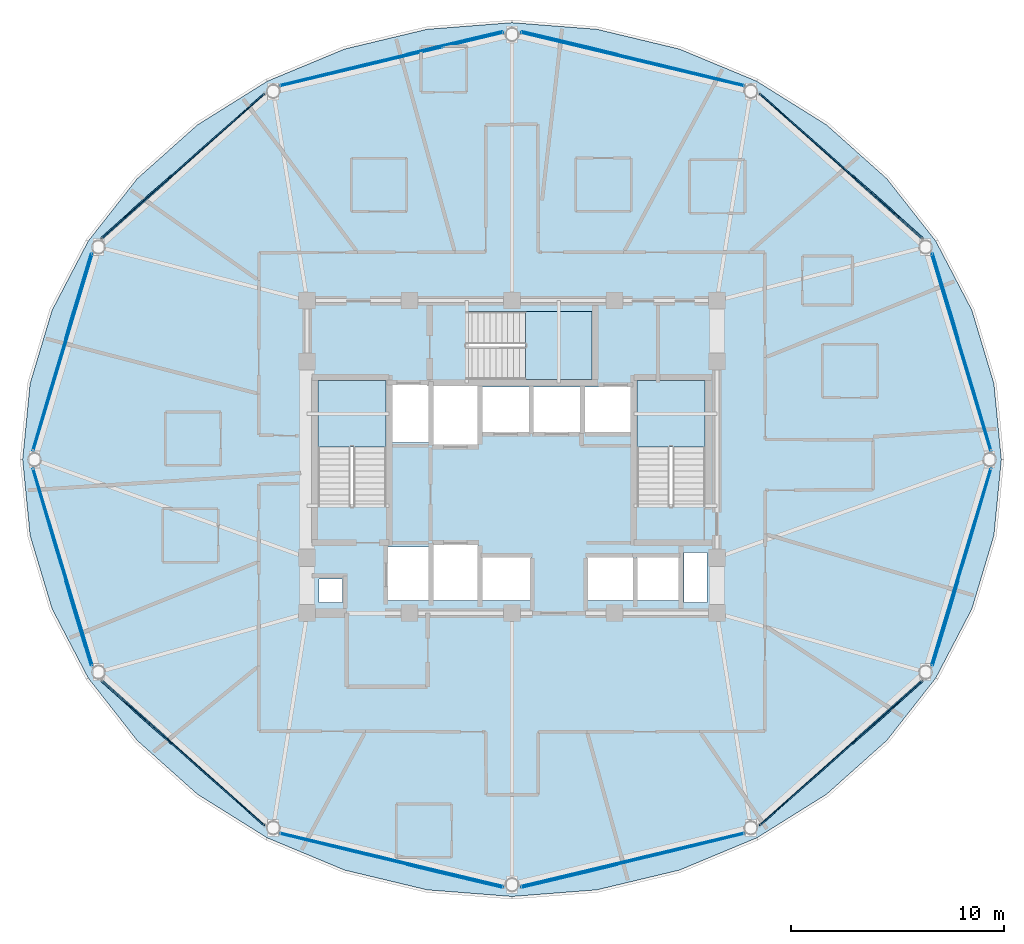
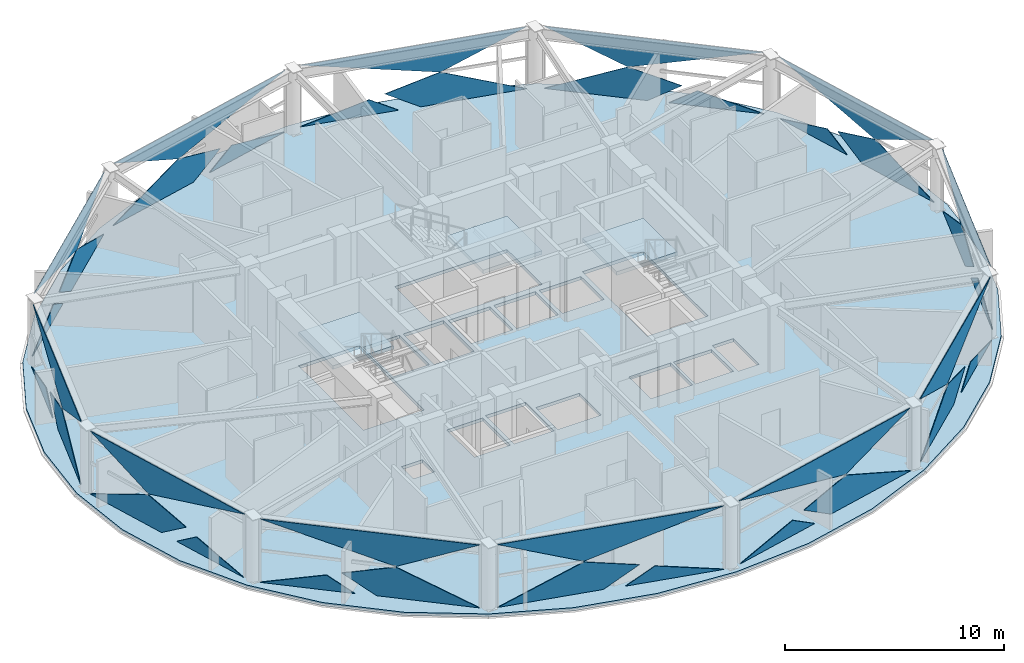
# One storey, part 21 of 30: 36 plates, 4 slabs, 15 elements without a shape of their own.
"""IFC4 building model written with IfcOpenShell, lengths in metres."""

from ifc_helpers import new_model, si_unit, direction, frame, origin, place, context, subcontext, project, spatial, polyline, outline, extrude, material, layer, layer_set, type_object, element, aggregate, save


model = new_model("IFC4")

# Units and contexts
model_context = context("Model", 3, precision=1e-05, world=origin(), true_north=direction((0.0, 1.0)))
body_context = subcontext(model_context, "Body", "Model", "MODEL_VIEW")
ifc_project = project(units=[si_unit("LENGTHUNIT", "METRE"), si_unit("AREAUNIT", "SQUARE_METRE"), si_unit("VOLUMEUNIT", "CUBIC_METRE"), si_unit("PLANEANGLEUNIT", "RADIAN"), si_unit("MASSUNIT", "GRAM", prefix="KILO")], contexts=[model_context])

# Site, building, storey
site_placement = place(None, origin())
site = spatial("IfcSite", under=ifc_project, at=site_placement, CompositionType="ELEMENT")
building_placement = place(site_placement, origin())
building = spatial("IfcBuilding", under=site, at=building_placement, Name="Vantalir Tower", CompositionType="ELEMENT")
storey_placement = place(building_placement, frame((0.0, 0.0, 201.14990234375)))
storey = spatial("IfcBuildingStorey", under=building, at=storey_placement, Name="L50", CompositionType="ELEMENT", Elevation=201.14990234375)

# Curtain wall, plates
ifc_material_1 = material(Name="Champagne-silver PVDF aluminium and double-silver Low-E glass", Category="aluminium")
ifc_layer_1 = layer(ifc_material_1, 0.2099609375)
ifc_layer_set_1 = layer_set([ifc_layer_1], Name="Champagne-silver PVDF aluminium and double-silver Low-E glass")
curtain_wall_type = type_object("IfcCurtainWallType", Name="CW-DIAMOND-Z3", PredefinedType="USERDEFINED", material=ifc_layer_set_1)
curtain_wall_1_placement = place(storey_placement, origin())
curtain_wall_1 = element("IfcCurtainWall", 1, at=curtain_wall_1_placement, inside=storey, type_object=curtain_wall_type, Name="L50 Quilted Pyramid-Diamond Curtain Wall S01", ObjectType="UNITISED CURTAIN WALL", PredefinedType="USERDEFINED")
ifc_material_2 = material(Name="Double-silver Low-E acoustic glass IGU", Category="glass")
ifc_layer_2 = layer(ifc_material_2, 0.031982421875)
ifc_layer_set_2 = layer_set([ifc_layer_2], Name="Double-silver Low-E acoustic glass IGU")
plate_type = type_object("IfcPlateType", Name="CWP-IGU-32", PredefinedType="CURTAIN_PANEL", material=ifc_layer_set_2)
plate_1_placement = place(storey_placement, frame((53.94970703125, 25.406982421875, 0.047119140625), z_axis=(-0.957564423457, -0.287894998522, 0.013669116829), x_axis=(-0.287922611578, 0.957653677886, -5.4530005e-05)))
plate_1 = element("IfcPlate", 2, at=plate_1_placement, type_object=plate_type, Name="CW-L50-S01 Pyramid Diamond Facet 1L", PredefinedType="CURTAIN_PANEL", context=body_context, shape_type="SweptSolid", body=[
    extrude(outline(polyline([(0.0, 0.0), (4.493015232506028, 2.710505431213761e-19), (6.036369226294216, -1.0433953958300741), (3.6700320835922584, -1.725946452969246), (0.0, 0.0)])), origin(), (0.0, 0.0, -1.0), 0.031982421875),
])
plate_2_placement = place(storey_placement, frame((52.407958984375, 30.65966796875, 0.04638671875), z_axis=(-0.957565121406, -0.287893799819, 0.013645449486), x_axis=(-0.287921369293, 0.957654051154, -5.8425603e-05)))
plate_2 = element("IfcPlate", 3, at=plate_2_placement, type_object=plate_type, Name="CW-L50-S01 Pyramid Diamond Facet 1L Infill Light", PredefinedType="CURTAIN_PANEL", context=body_context, shape_type="SweptSolid", body=[
    extrude(outline(polyline([(0.0, 0.0), (4.178658232119162, 3.63207727782644e-18), (1.2500054818498887, -0.8448782573715141), (0.0, 0.0)])), origin(), (0.0, 0.0, -1.0), 0.031982421875),
])
plate_3_placement = place(storey_placement, frame((51.17041015625, 34.651123046875, 3.5234375), z_axis=(0.957564554379, 0.28789618773, 0.013634855612), x_axis=(0.287923282936, -0.957653477258, -2.5291926e-05)))
plate_3 = element("IfcPlate", 4, at=plate_3_placement, type_object=plate_type, Name="CW-L50-S01 Pyramid Diamond Facet 2U", PredefinedType="CURTAIN_PANEL", context=body_context, shape_type="SweptSolid", body=[
    extrude(outline(polyline([(0.0, 0.0), (9.652907700468539, 2.168404344971009e-19), (5.982825176262012, 1.7258391937310797), (0.0, 0.0)])), origin(), (0.0, 0.0, -1.0), 0.031982421875),
])
aggregate(curtain_wall_1, [plate_1, plate_2, plate_3])

curtain_wall_2_placement = place(storey_placement, origin())
curtain_wall_2 = element("IfcCurtainWall", 5, at=curtain_wall_2_placement, inside=storey, type_object=curtain_wall_type, Name="L50 Quilted Pyramid-Diamond Curtain Wall S02", ObjectType="UNITISED CURTAIN WALL", PredefinedType="USERDEFINED")
plate_4_placement = place(storey_placement, frame((46.678466796875, 38.951416015625, 0.046875), z_axis=(-0.66523185252, -0.746509374345, 0.013796246113), x_axis=(-0.746580426559, 0.665295172596, 2.0544e-07)))
plate_4 = element("IfcPlate", 6, at=plate_4_placement, type_object=plate_type, Name="CW-L50-S02 Pyramid Diamond Facet 1L", PredefinedType="CURTAIN_PANEL", context=body_context, shape_type="SweptSolid", body=[
    extrude(outline(polyline([(0.0, 0.0), (4.788824650610813, -6.938893903907228e-18), (0.9002307727111415, -1.7262383246250173), (-1.6146864452240484, -1.0401393709406346), (0.0, 0.0)])), origin(), (0.0, 0.0, -1.0), 0.031982421875),
])
plate_5_placement = place(storey_placement, frame((50.754638671875, 35.36767578125, 0.046142578125), z_axis=(-0.665198990712, -0.746537898844, 0.013837208728), x_axis=(-0.746608867705, 0.665263252857, 5.5337153e-05)))
plate_5 = element("IfcPlate", 7, at=plate_5_placement, type_object=plate_type, Name="CW-L50-S02 Pyramid Diamond Facet 1L Infill Light", PredefinedType="CURTAIN_PANEL", context=body_context, shape_type="SweptSolid", body=[
    extrude(outline(polyline([(0.0, 0.0), (4.41187542096228, 2.9815559743351372e-18), (3.099305821382689, -0.8453684134291314), (0.0, 0.0)])), origin(), (0.0, 0.0, -1.0), 0.031982421875),
])
plate_6_placement = place(storey_placement, frame((43.103271484375, 42.137451171875, 3.523193359375), z_axis=(0.665212907167, 0.746528084438, 0.013696980825), x_axis=(0.746597903354, -0.665275559551, 2.3897251e-05)))
plate_6 = element("IfcPlate", 8, at=plate_6_placement, type_object=plate_type, Name="CW-L50-S02 Pyramid Diamond Facet 2U", PredefinedType="CURTAIN_PANEL", context=body_context, shape_type="SweptSolid", body=[
    extrude(outline(polyline([(0.0, 0.0), (10.216264165730552, 1.713039432527097e-17), (3.8885536112192765, 1.7260849250049073), (0.0, 0.0)])), origin(), (0.0, 0.0, -1.0), 0.031982421875),
])
aggregate(curtain_wall_2, [plate_4, plate_5, plate_6])

curtain_wall_3_placement = place(storey_placement, origin())
curtain_wall_3 = element("IfcCurtainWall", 9, at=curtain_wall_3_placement, inside=storey, type_object=curtain_wall_type, Name="L50 Quilted Pyramid-Diamond Curtain Wall S03", ObjectType="UNITISED CURTAIN WALL", PredefinedType="USERDEFINED")
plate_7_placement = place(storey_placement, frame((42.372802734375, 42.518798828125, 0.046875), z_axis=(-0.232206392492, -0.972568747145, 0.01379214857), x_axis=(-0.972661417701, 0.232227828108, -4.8657021e-05)))
plate_7 = element("IfcPlate", 10, at=plate_7_placement, type_object=plate_type, Name="CW-L50-S03 Pyramid Diamond Facet 1L", PredefinedType="CURTAIN_PANEL", context=body_context, shape_type="SweptSolid", body=[
    extrude(outline(polyline([(0.0, 0.0), (5.025318191116046, -6.2341624917916505e-19), (6.728999581153205, -1.042662916575929), (4.088655980256512, -1.726681162209599), (0.0, 0.0)])), origin(), (0.0, 0.0, -1.0), 0.031982421875),
])
plate_8_placement = place(storey_placement, frame((36.46826171875, 43.965576171875, 0.046142578125), z_axis=(-0.232238984824, -0.972562764647, 0.013664653283), x_axis=(-0.972653577162, 0.232260670012, 0.0)))
plate_8 = element("IfcPlate", 11, at=plate_8_placement, type_object=plate_type, Name="CW-L50-S03 Pyramid Diamond Facet 1L Infill Light", PredefinedType="CURTAIN_PANEL", context=body_context, shape_type="SweptSolid", body=[
    extrude(outline(polyline([(0.0, 0.0), (4.674460636481179, 0.0), (1.3903305253409852, -0.8509095239166355), (0.0, 0.0)])), origin(), (0.0, 0.0, -1.0), 0.031982421875),
])
plate_9_placement = place(storey_placement, frame((31.913330078125, 45.016357421875, 3.523681640625), z_axis=(0.232233275581, 0.972563468319, 0.013711520848), x_axis=(0.972654977057, -0.232254806388, -2.2703305e-05)))
plate_9 = element("IfcPlate", 12, at=plate_9_placement, type_object=plate_type, Name="CW-L50-S03 Pyramid Diamond Facet 2U", PredefinedType="CURTAIN_PANEL", context=body_context, shape_type="SweptSolid", body=[
    extrude(outline(polyline([(0.0, 0.0), (10.753528129672631, 7.508100044462118e-18), (6.664826683048361, 1.7265734974029299), (0.0, 0.0)])), origin(), (0.0, 0.0, -1.0), 0.031982421875),
])
aggregate(curtain_wall_3, [plate_7, plate_8, plate_9])

curtain_wall_4_placement = place(storey_placement, origin())
curtain_wall_4 = element("IfcCurtainWall", 13, at=curtain_wall_4_placement, inside=storey, type_object=curtain_wall_type, Name="L50 Quilted Pyramid-Diamond Curtain Wall S04", ObjectType="UNITISED CURTAIN WALL", PredefinedType="USERDEFINED")
plate_10_placement = place(storey_placement, frame((25.51513671875, 43.685791015625, 0.046630859375), z_axis=(0.232206392492, -0.972568747145, 0.01379214857), x_axis=(-0.972661417701, -0.232227828108, 4.8657021e-05)))
plate_10 = element("IfcPlate", 14, at=plate_10_placement, type_object=plate_type, Name="CW-L50-S04 Pyramid Diamond Facet 1L", PredefinedType="CURTAIN_PANEL", context=body_context, shape_type="SweptSolid", body=[
    extrude(outline(polyline([(0.0, 0.0), (5.025318191116046, 6.2341624917916505e-19), (0.9366622108595342, -1.726681162209599), (-1.703681390037159, -1.042662916575929), (0.0, 0.0)])), origin(), (0.0, 0.0, -1.0), 0.031982421875),
])
plate_11_placement = place(storey_placement, frame((31.078369140625, 45.05126953125, 0.046142578125), z_axis=(0.232238984824, -0.972562764647, 0.013664653283), x_axis=(-0.972653577162, -0.232260670012, 0.0)))
plate_11 = element("IfcPlate", 15, at=plate_11_placement, type_object=plate_type, Name="CW-L50-S04 Pyramid Diamond Facet 1L Infill Light", PredefinedType="CURTAIN_PANEL", context=body_context, shape_type="SweptSolid", body=[
    extrude(outline(polyline([(0.0, 0.0), (4.674460636481179, 0.0), (3.2841301111401937, -0.8509095239166355), (0.0, 0.0)])), origin(), (0.0, 0.0, -1.0), 0.031982421875),
])
plate_12_placement = place(storey_placement, frame((20.627197265625, 42.518798828125, 3.5234375), z_axis=(-0.232233275581, 0.972563468319, 0.013711520848), x_axis=(0.972654977057, 0.232254806388, 2.2703305e-05)))
plate_12 = element("IfcPlate", 16, at=plate_12_placement, type_object=plate_type, Name="CW-L50-S04 Pyramid Diamond Facet 2U", PredefinedType="CURTAIN_PANEL", context=body_context, shape_type="SweptSolid", body=[
    extrude(outline(polyline([(0.0, 0.0), (10.753528129672631, -7.508100044462118e-18), (4.088701446624271, 1.7265734974029299), (0.0, 0.0)])), origin(), (0.0, 0.0, -1.0), 0.031982421875),
])
aggregate(curtain_wall_4, [plate_10, plate_11, plate_12])

curtain_wall_5_placement = place(storey_placement, origin())
curtain_wall_5 = element("IfcCurtainWall", 17, at=curtain_wall_5_placement, inside=storey, type_object=curtain_wall_type, Name="L50 Quilted Pyramid-Diamond Curtain Wall S05", ObjectType="UNITISED CURTAIN WALL", PredefinedType="USERDEFINED")
plate_13_placement = place(storey_placement, frame((19.896728515625, 42.137451171875, 0.046875), z_axis=(0.66523185252, -0.746509374345, 0.013796246113), x_axis=(-0.746580426559, -0.665295172596, -2.0544e-07)))
plate_13 = element("IfcPlate", 18, at=plate_13_placement, type_object=plate_type, Name="CW-L50-S05 Pyramid Diamond Facet 1L", PredefinedType="CURTAIN_PANEL", context=body_context, shape_type="SweptSolid", body=[
    extrude(outline(polyline([(0.0, 0.0), (4.788824650610813, 6.938893903907228e-18), (6.403511095834861, -1.0401393709406346), (3.888593877899672, -1.726238324625017), (0.0, 0.0)])), origin(), (0.0, 0.0, -1.0), 0.031982421875),
])
plate_14_placement = place(storey_placement, frame((15.539306640625, 38.302734375, 0.04638671875), z_axis=(0.665198990712, -0.746537898844, 0.013837208728), x_axis=(-0.746608867705, -0.665263252857, -5.5337153e-05)))
plate_14 = element("IfcPlate", 19, at=plate_14_placement, type_object=plate_type, Name="CW-L50-S05 Pyramid Diamond Facet 1L Infill Light", PredefinedType="CURTAIN_PANEL", context=body_context, shape_type="SweptSolid", body=[
    extrude(outline(polyline([(0.0, 0.0), (4.41187542096228, -2.9815559743351372e-18), (1.3125695995795912, -0.8453684134291314), (0.0, 0.0)])), origin(), (0.0, 0.0, -1.0), 0.031982421875),
])
plate_15_placement = place(storey_placement, frame((12.269287109375, 35.3408203125, 3.5234375), z_axis=(-0.665212907167, 0.746528084438, 0.013696980825), x_axis=(0.746597903354, 0.665275559551, -2.3897251e-05)))
plate_15 = element("IfcPlate", 20, at=plate_15_placement, type_object=plate_type, Name="CW-L50-S05 Pyramid Diamond Facet 2U", PredefinedType="CURTAIN_PANEL", context=body_context, shape_type="SweptSolid", body=[
    extrude(outline(polyline([(0.0, 0.0), (10.216264165730552, -1.713039432527097e-17), (6.327710554511276, 1.7260849250049073), (0.0, 0.0)])), origin(), (0.0, 0.0, -1.0), 0.031982421875),
])
aggregate(curtain_wall_5, [plate_13, plate_14, plate_15])

curtain_wall_6_placement = place(storey_placement, origin())
curtain_wall_6 = element("IfcCurtainWall", 21, at=curtain_wall_6_placement, inside=storey, type_object=curtain_wall_type, Name="L50 Quilted Pyramid-Diamond Curtain Wall S06", ObjectType="UNITISED CURTAIN WALL", PredefinedType="USERDEFINED")
plate_16_placement = place(storey_placement, frame((10.343994140625, 29.709716796875, 0.046875), z_axis=(0.957564423457, -0.287894998522, 0.013669116829), x_axis=(-0.287922611578, -0.957653677886, 5.4530005e-05)))
plate_16 = element("IfcPlate", 22, at=plate_16_placement, type_object=plate_type, Name="CW-L50-S06 Pyramid Diamond Facet 1L", PredefinedType="CURTAIN_PANEL", context=body_context, shape_type="SweptSolid", body=[
    extrude(outline(polyline([(0.0, 0.0), (4.493015232506028, -2.710505431213761e-19), (0.8229831489137697, -1.725946452969246), (-1.5433539937881875, -1.043395395830074), (0.0, 0.0)])), origin(), (0.0, 0.0, -1.0), 0.031982421875),
])
plate_17_placement = place(storey_placement, frame((11.795166015625, 34.661376953125, 0.046142578125), z_axis=(0.957565121406, -0.287893799819, 0.013645449486), x_axis=(-0.287921369293, -0.957654051154, 5.8425603e-05)))
plate_17 = element("IfcPlate", 23, at=plate_17_placement, type_object=plate_type, Name="CW-L50-S06 Pyramid Diamond Facet 1L Infill Light", PredefinedType="CURTAIN_PANEL", context=body_context, shape_type="SweptSolid", body=[
    extrude(outline(polyline([(0.0, 0.0), (4.178658232119162, -3.63207727782644e-18), (2.928652750269273, -0.8448782573715141), (0.0, 0.0)])), origin(), (0.0, 0.0, -1.0), 0.031982421875),
])
plate_18_placement = place(storey_placement, frame((9.05029296875, 25.406982421875, 3.523193359375), z_axis=(-0.957564554379, 0.28789618773, 0.013634855612), x_axis=(0.287923282936, 0.957653477258, 2.5291926e-05)))
plate_18 = element("IfcPlate", 24, at=plate_18_placement, type_object=plate_type, Name="CW-L50-S06 Pyramid Diamond Facet 2U", PredefinedType="CURTAIN_PANEL", context=body_context, shape_type="SweptSolid", body=[
    extrude(outline(polyline([(0.0, 0.0), (9.652907700468539, -2.168404344971009e-19), (3.670082524206527, 1.7258391937310797), (0.0, 0.0)])), origin(), (0.0, 0.0, -1.0), 0.031982421875),
])
aggregate(curtain_wall_6, [plate_16, plate_17, plate_18])

curtain_wall_7_placement = place(storey_placement, origin())
curtain_wall_7 = element("IfcCurtainWall", 25, at=curtain_wall_7_placement, inside=storey, type_object=curtain_wall_type, Name="L50 Quilted Pyramid-Diamond Curtain Wall S07", ObjectType="UNITISED CURTAIN WALL", PredefinedType="USERDEFINED")
plate_19_placement = place(storey_placement, frame((9.05029296875, 24.593017578125, 0.047119140625), z_axis=(0.957564423457, 0.287894998522, 0.013669116829), x_axis=(0.287922611578, -0.957653677886, -5.4530005e-05)))
plate_19 = element("IfcPlate", 26, at=plate_19_placement, type_object=plate_type, Name="CW-L50-S07 Pyramid Diamond Facet 1L", PredefinedType="CURTAIN_PANEL", context=body_context, shape_type="SweptSolid", body=[
    extrude(outline(polyline([(0.0, 0.0), (4.493015232506028, 2.710505431213761e-19), (6.036369226294216, -1.0433953958300741), (3.6700320835922584, -1.725946452969246), (0.0, 0.0)])), origin(), (0.0, 0.0, -1.0), 0.031982421875),
])
plate_20_placement = place(storey_placement, frame((10.592041015625, 19.34033203125, 0.04638671875), z_axis=(0.957565121406, 0.287893799819, 0.013645449486), x_axis=(0.287921369293, -0.957654051154, -5.8425603e-05)))
plate_20 = element("IfcPlate", 27, at=plate_20_placement, type_object=plate_type, Name="CW-L50-S07 Pyramid Diamond Facet 1L Infill Light", PredefinedType="CURTAIN_PANEL", context=body_context, shape_type="SweptSolid", body=[
    extrude(outline(polyline([(0.0, 0.0), (4.178658232119162, 3.63207727782644e-18), (1.2500054818498887, -0.8448782573715141), (0.0, 0.0)])), origin(), (0.0, 0.0, -1.0), 0.031982421875),
])
plate_21_placement = place(storey_placement, frame((11.82958984375, 15.348876953125, 3.5234375), z_axis=(-0.957564554379, -0.28789618773, 0.013634855612), x_axis=(-0.287923282936, 0.957653477258, -2.5291926e-05)))
plate_21 = element("IfcPlate", 28, at=plate_21_placement, type_object=plate_type, Name="CW-L50-S07 Pyramid Diamond Facet 2U", PredefinedType="CURTAIN_PANEL", context=body_context, shape_type="SweptSolid", body=[
    extrude(outline(polyline([(0.0, 0.0), (9.652907700468539, 2.168404344971009e-19), (5.982825176262012, 1.7258391937310797), (0.0, 0.0)])), origin(), (0.0, 0.0, -1.0), 0.031982421875),
])
aggregate(curtain_wall_7, [plate_19, plate_20, plate_21])

curtain_wall_8_placement = place(storey_placement, origin())
curtain_wall_8 = element("IfcCurtainWall", 29, at=curtain_wall_8_placement, inside=storey, type_object=curtain_wall_type, Name="L50 Quilted Pyramid-Diamond Curtain Wall S08", ObjectType="UNITISED CURTAIN WALL", PredefinedType="USERDEFINED")
plate_22_placement = place(storey_placement, frame((16.321533203125, 11.048583984375, 0.046875), z_axis=(0.66523185252, 0.746509374345, 0.013796246113), x_axis=(0.746580426559, -0.665295172596, 2.0544e-07)))
plate_22 = element("IfcPlate", 30, at=plate_22_placement, type_object=plate_type, Name="CW-L50-S08 Pyramid Diamond Facet 1L", PredefinedType="CURTAIN_PANEL", context=body_context, shape_type="SweptSolid", body=[
    extrude(outline(polyline([(0.0, 0.0), (4.788824650610813, -6.938893903907228e-18), (0.9002307727111415, -1.7262383246250173), (-1.6146864452240484, -1.0401393709406346), (0.0, 0.0)])), origin(), (0.0, 0.0, -1.0), 0.031982421875),
])
plate_23_placement = place(storey_placement, frame((12.245361328125, 14.63232421875, 0.046142578125), z_axis=(0.665198990712, 0.746537898844, 0.013837208728), x_axis=(0.746608867705, -0.665263252857, 5.5337153e-05)))
plate_23 = element("IfcPlate", 31, at=plate_23_placement, type_object=plate_type, Name="CW-L50-S08 Pyramid Diamond Facet 1L Infill Light", PredefinedType="CURTAIN_PANEL", context=body_context, shape_type="SweptSolid", body=[
    extrude(outline(polyline([(0.0, 0.0), (4.41187542096228, 2.9815559743351372e-18), (3.099305821382689, -0.8453684134291314), (0.0, 0.0)])), origin(), (0.0, 0.0, -1.0), 0.031982421875),
])
plate_24_placement = place(storey_placement, frame((19.896728515625, 7.862548828125, 3.523193359375), z_axis=(-0.665212907167, -0.746528084438, 0.013696980825), x_axis=(-0.746597903354, 0.665275559551, 2.3897251e-05)))
plate_24 = element("IfcPlate", 32, at=plate_24_placement, type_object=plate_type, Name="CW-L50-S08 Pyramid Diamond Facet 2U", PredefinedType="CURTAIN_PANEL", context=body_context, shape_type="SweptSolid", body=[
    extrude(outline(polyline([(0.0, 0.0), (10.216264165730552, 1.713039432527097e-17), (3.8885536112192765, 1.7260849250049073), (0.0, 0.0)])), origin(), (0.0, 0.0, -1.0), 0.031982421875),
])
aggregate(curtain_wall_8, [plate_22, plate_23, plate_24])

curtain_wall_9_placement = place(storey_placement, origin())
curtain_wall_9 = element("IfcCurtainWall", 33, at=curtain_wall_9_placement, inside=storey, type_object=curtain_wall_type, Name="L50 Quilted Pyramid-Diamond Curtain Wall S09", ObjectType="UNITISED CURTAIN WALL", PredefinedType="USERDEFINED")
plate_25_placement = place(storey_placement, frame((20.627197265625, 7.481201171875, 0.046875), z_axis=(0.232206392492, 0.972568747145, 0.01379214857), x_axis=(0.972661417701, -0.232227828108, -4.8657021e-05)))
plate_25 = element("IfcPlate", 34, at=plate_25_placement, type_object=plate_type, Name="CW-L50-S09 Pyramid Diamond Facet 1L", PredefinedType="CURTAIN_PANEL", context=body_context, shape_type="SweptSolid", body=[
    extrude(outline(polyline([(0.0, 0.0), (5.025318191116046, -6.2341624917916505e-19), (6.728999581153205, -1.042662916575929), (4.088655980256512, -1.726681162209599), (0.0, 0.0)])), origin(), (0.0, 0.0, -1.0), 0.031982421875),
])
plate_26_placement = place(storey_placement, frame((26.53173828125, 6.034423828125, 0.046142578125), z_axis=(0.232238984824, 0.972562764647, 0.013664653283), x_axis=(0.972653577162, -0.232260670012, 0.0)))
plate_26 = element("IfcPlate", 35, at=plate_26_placement, type_object=plate_type, Name="CW-L50-S09 Pyramid Diamond Facet 1L Infill Light", PredefinedType="CURTAIN_PANEL", context=body_context, shape_type="SweptSolid", body=[
    extrude(outline(polyline([(0.0, 0.0), (4.674460636481179, 0.0), (1.3903305253409852, -0.8509095239166355), (0.0, 0.0)])), origin(), (0.0, 0.0, -1.0), 0.031982421875),
])
plate_27_placement = place(storey_placement, frame((31.086669921875, 4.983642578125, 3.523681640625), z_axis=(-0.232233275581, -0.972563468319, 0.013711520848), x_axis=(-0.972654977057, 0.232254806388, -2.2703305e-05)))
plate_27 = element("IfcPlate", 36, at=plate_27_placement, type_object=plate_type, Name="CW-L50-S09 Pyramid Diamond Facet 2U", PredefinedType="CURTAIN_PANEL", context=body_context, shape_type="SweptSolid", body=[
    extrude(outline(polyline([(0.0, 0.0), (10.753528129672631, 7.508100044462118e-18), (6.664826683048361, 1.7265734974029299), (0.0, 0.0)])), origin(), (0.0, 0.0, -1.0), 0.031982421875),
])
aggregate(curtain_wall_9, [plate_25, plate_26, plate_27])

curtain_wall_10_placement = place(storey_placement, origin())
curtain_wall_10 = element("IfcCurtainWall", 37, at=curtain_wall_10_placement, inside=storey, type_object=curtain_wall_type, Name="L50 Quilted Pyramid-Diamond Curtain Wall S10", ObjectType="UNITISED CURTAIN WALL", PredefinedType="USERDEFINED")
plate_28_placement = place(storey_placement, frame((37.48486328125, 6.314208984375, 0.046630859375), z_axis=(-0.232206392492, 0.972568747145, 0.01379214857), x_axis=(0.972661417701, 0.232227828108, 4.8657021e-05)))
plate_28 = element("IfcPlate", 38, at=plate_28_placement, type_object=plate_type, Name="CW-L50-S10 Pyramid Diamond Facet 1L", PredefinedType="CURTAIN_PANEL", context=body_context, shape_type="SweptSolid", body=[
    extrude(outline(polyline([(0.0, 0.0), (5.025318191116046, 6.2341624917916505e-19), (0.9366622108595342, -1.726681162209599), (-1.703681390037159, -1.042662916575929), (0.0, 0.0)])), origin(), (0.0, 0.0, -1.0), 0.031982421875),
])
plate_29_placement = place(storey_placement, frame((31.921630859375, 4.94873046875, 0.046142578125), z_axis=(-0.232238984824, 0.972562764647, 0.013664653283), x_axis=(0.972653577162, 0.232260670012, 0.0)))
plate_29 = element("IfcPlate", 39, at=plate_29_placement, type_object=plate_type, Name="CW-L50-S10 Pyramid Diamond Facet 1L Infill Light", PredefinedType="CURTAIN_PANEL", context=body_context, shape_type="SweptSolid", body=[
    extrude(outline(polyline([(0.0, 0.0), (4.674460636481179, 0.0), (3.2841301111401937, -0.8509095239166355), (0.0, 0.0)])), origin(), (0.0, 0.0, -1.0), 0.031982421875),
])
plate_30_placement = place(storey_placement, frame((42.372802734375, 7.481201171875, 3.5234375), z_axis=(0.232233275581, -0.972563468319, 0.013711520848), x_axis=(-0.972654977057, -0.232254806388, 2.2703305e-05)))
plate_30 = element("IfcPlate", 40, at=plate_30_placement, type_object=plate_type, Name="CW-L50-S10 Pyramid Diamond Facet 2U", PredefinedType="CURTAIN_PANEL", context=body_context, shape_type="SweptSolid", body=[
    extrude(outline(polyline([(0.0, 0.0), (10.753528129672631, -7.508100044462118e-18), (4.088701446624271, 1.7265734974029299), (0.0, 0.0)])), origin(), (0.0, 0.0, -1.0), 0.031982421875),
])
aggregate(curtain_wall_10, [plate_28, plate_29, plate_30])

curtain_wall_11_placement = place(storey_placement, origin())
curtain_wall_11 = element("IfcCurtainWall", 41, at=curtain_wall_11_placement, inside=storey, type_object=curtain_wall_type, Name="L50 Quilted Pyramid-Diamond Curtain Wall S11", ObjectType="UNITISED CURTAIN WALL", PredefinedType="USERDEFINED")
plate_31_placement = place(storey_placement, frame((43.103271484375, 7.862548828125, 0.046875), z_axis=(-0.66523185252, 0.746509374345, 0.013796246113), x_axis=(0.746580426559, 0.665295172596, -2.0544e-07)))
plate_31 = element("IfcPlate", 42, at=plate_31_placement, type_object=plate_type, Name="CW-L50-S11 Pyramid Diamond Facet 1L", PredefinedType="CURTAIN_PANEL", context=body_context, shape_type="SweptSolid", body=[
    extrude(outline(polyline([(0.0, 0.0), (4.788824650610813, 6.938893903907228e-18), (6.403511095834861, -1.0401393709406346), (3.888593877899672, -1.726238324625017), (0.0, 0.0)])), origin(), (0.0, 0.0, -1.0), 0.031982421875),
])
plate_32_placement = place(storey_placement, frame((47.460693359375, 11.697265625, 0.04638671875), z_axis=(-0.665198990712, 0.746537898844, 0.013837208728), x_axis=(0.746608867705, 0.665263252857, -5.5337153e-05)))
plate_32 = element("IfcPlate", 43, at=plate_32_placement, type_object=plate_type, Name="CW-L50-S11 Pyramid Diamond Facet 1L Infill Light", PredefinedType="CURTAIN_PANEL", context=body_context, shape_type="SweptSolid", body=[
    extrude(outline(polyline([(0.0, 0.0), (4.41187542096228, -2.9815559743351372e-18), (1.3125695995795912, -0.8453684134291314), (0.0, 0.0)])), origin(), (0.0, 0.0, -1.0), 0.031982421875),
])
plate_33_placement = place(storey_placement, frame((50.730712890625, 14.6591796875, 3.5234375), z_axis=(0.665212907167, -0.746528084438, 0.013696980825), x_axis=(-0.746597903354, -0.665275559551, -2.3897251e-05)))
plate_33 = element("IfcPlate", 44, at=plate_33_placement, type_object=plate_type, Name="CW-L50-S11 Pyramid Diamond Facet 2U", PredefinedType="CURTAIN_PANEL", context=body_context, shape_type="SweptSolid", body=[
    extrude(outline(polyline([(0.0, 0.0), (10.216264165730552, -1.713039432527097e-17), (6.327710554511276, 1.7260849250049073), (0.0, 0.0)])), origin(), (0.0, 0.0, -1.0), 0.031982421875),
])
aggregate(curtain_wall_11, [plate_31, plate_32, plate_33])

curtain_wall_12_placement = place(storey_placement, origin())
curtain_wall_12 = element("IfcCurtainWall", 45, at=curtain_wall_12_placement, inside=storey, type_object=curtain_wall_type, Name="L50 Quilted Pyramid-Diamond Curtain Wall S12", ObjectType="UNITISED CURTAIN WALL", PredefinedType="USERDEFINED")
plate_34_placement = place(storey_placement, frame((52.656005859375, 20.290283203125, 0.046875), z_axis=(-0.957564423457, 0.287894998522, 0.013669116829), x_axis=(0.287922611578, 0.957653677886, 5.4530005e-05)))
plate_34 = element("IfcPlate", 46, at=plate_34_placement, type_object=plate_type, Name="CW-L50-S12 Pyramid Diamond Facet 1L", PredefinedType="CURTAIN_PANEL", context=body_context, shape_type="SweptSolid", body=[
    extrude(outline(polyline([(0.0, 0.0), (4.493015232506028, -2.710505431213761e-19), (0.8229831489137697, -1.725946452969246), (-1.5433539937881875, -1.043395395830074), (0.0, 0.0)])), origin(), (0.0, 0.0, -1.0), 0.031982421875),
])
plate_35_placement = place(storey_placement, frame((51.204833984375, 15.338623046875, 0.046142578125), z_axis=(-0.957565121406, 0.287893799819, 0.013645449486), x_axis=(0.287921369293, 0.957654051154, 5.8425603e-05)))
plate_35 = element("IfcPlate", 47, at=plate_35_placement, type_object=plate_type, Name="CW-L50-S12 Pyramid Diamond Facet 1L Infill Light", PredefinedType="CURTAIN_PANEL", context=body_context, shape_type="SweptSolid", body=[
    extrude(outline(polyline([(0.0, 0.0), (4.178658232119162, -3.63207727782644e-18), (2.928652750269273, -0.8448782573715141), (0.0, 0.0)])), origin(), (0.0, 0.0, -1.0), 0.031982421875),
])
plate_36_placement = place(storey_placement, frame((53.94970703125, 24.593017578125, 3.523193359375), z_axis=(0.957564554379, -0.28789618773, 0.013634855612), x_axis=(-0.287923282936, -0.957653477258, 2.5291926e-05)))
plate_36 = element("IfcPlate", 48, at=plate_36_placement, type_object=plate_type, Name="CW-L50-S12 Pyramid Diamond Facet 2U", PredefinedType="CURTAIN_PANEL", context=body_context, shape_type="SweptSolid", body=[
    extrude(outline(polyline([(0.0, 0.0), (9.652907700468539, -2.168404344971009e-19), (3.670082524206527, 1.7258391937310797), (0.0, 0.0)])), origin(), (0.0, 0.0, -1.0), 0.031982421875),
])
aggregate(curtain_wall_12, [plate_34, plate_35, plate_36])

# Stair, slab
ifc_material_3 = material(Name="Concrete C40/50", Category="concrete")
stair_type = type_object("IfcStairType", Name="STR-CORE-1450", PredefinedType="HALF_TURN_STAIR", material=ifc_material_3)
stair_1_placement = place(storey_placement, origin())
stair_1 = element("IfcStair", 49, at=stair_1_placement, inside=storey, type_object=stair_type, Name="L50 Core Exit Stair 1", PredefinedType="HALF_TURN_STAIR")
ifc_layer_3 = layer(ifc_material_3, 0.199951171875)
ifc_layer_set_3 = layer_set([ifc_layer_3], Name="Concrete C40/50")
slab_type_1 = type_object("IfcSlabType", Name="SL-LAND-200", PredefinedType="LANDING", material=ifc_layer_set_3)
slab_1_placement = place(storey_placement, frame((0.0, 0.0, 1.675048828125)))
slab_1 = element("IfcSlab", 50, at=slab_1_placement, type_object=slab_type_1, Name="ST1 landing 1", PredefinedType="LANDING", context=body_context, shape_type="SweptSolid", body=[
    extrude(outline(polyline([(25.60009765625, 25.590087890625), (25.60009765625, 28.699951171875), (22.39990234375, 28.699951171875), (22.39990234375, 25.590087890625), (25.60009765625, 25.590087890625)])), origin(), (0.0, 0.0, 1.0), 0.199951171875),
])
aggregate(stair_1, [slab_1])

stair_2_placement = place(storey_placement, origin())
stair_2 = element("IfcStair", 51, at=stair_2_placement, inside=storey, type_object=stair_type, Name="L50 Core Exit Stair 2", PredefinedType="HALF_TURN_STAIR")
slab_2_placement = place(storey_placement, frame((0.0, 0.0, 1.675048828125)))
slab_2 = element("IfcSlab", 52, at=slab_2_placement, type_object=slab_type_1, Name="ST2 landing 1", PredefinedType="LANDING", context=body_context, shape_type="SweptSolid", body=[
    extrude(outline(polyline([(40.550048828125, 25.590087890625), (40.550048828125, 28.699951171875), (37.35009765625, 28.699951171875), (37.35009765625, 25.590087890625), (40.550048828125, 25.590087890625)])), origin(), (0.0, 0.0, 1.0), 0.199951171875),
])
aggregate(stair_2, [slab_2])

stair_3_placement = place(storey_placement, origin())
stair_3 = element("IfcStair", 53, at=stair_3_placement, inside=storey, type_object=stair_type, Name="L50 Core Exit Stair 3", PredefinedType="HALF_TURN_STAIR")
slab_3_placement = place(storey_placement, frame((0.0, 0.0, 1.675048828125)))
slab_3 = element("IfcSlab", 54, at=slab_3_placement, type_object=slab_type_1, Name="ST3 landing 1", PredefinedType="LANDING", context=body_context, shape_type="SweptSolid", body=[
    extrude(outline(polyline([(32.139892578125, 28.75), (35.25, 28.75), (35.25, 31.949951171875), (32.139892578125, 31.949951171875), (32.139892578125, 28.75)])), origin(), (0.0, 0.0, 1.0), 0.199951171875),
])
aggregate(stair_3, [slab_3])

# Slab
ifc_layer_4 = layer(ifc_material_3, 0.179931640625)
ifc_layer_set_4 = layer_set([ifc_layer_4], Name="Concrete C40/50")
slab_type_2 = type_object("IfcSlabType", Name="SL-TWR-180", PredefinedType="FLOOR", material=ifc_layer_set_4)
slab_4_placement = place(storey_placement, frame((0.0, 0.0, -0.179931640625)))
element("IfcSlab", 55, at=slab_4_placement, inside=storey, type_object=slab_type_2, Name="L50 Primary Structural Slab", PredefinedType="FLOOR", context=body_context, shape_type="SweptSolid", body=[
    extrude(outline(polyline([(13.93310546875, 11.839111328125), (16.760009765625, 9.31494140625), (20.033935546875, 7.26806640625), (23.656982421875, 5.760009765625), (27.51806640625, 4.8359375), (31.5, 4.52490234375), (35.48193359375, 4.8359375), (39.343017578125, 5.760009765625), (42.966064453125, 7.26806640625), (46.239990234375, 9.31494140625), (49.06689453125, 11.839111328125), (51.360107421875, 14.761962890625), (53.049072265625, 17.9970703125), (54.083984375, 21.445068359375), (54.431884765625, 25.0), (54.083984375, 28.554931640625), (53.049072265625, 32.0029296875), (51.360107421875, 35.237060546875), (49.06689453125, 38.160888671875), (46.239990234375, 40.68505859375), (42.966064453125, 42.73193359375), (39.343017578125, 44.239990234375), (35.48193359375, 45.1640625), (31.5, 45.47509765625), (27.51806640625, 45.1640625), (23.656982421875, 44.239990234375), (20.033935546875, 42.73193359375), (16.760009765625, 40.68505859375), (13.93310546875, 38.160888671875), (11.639892578125, 35.237060546875), (9.950927734375, 32.0029296875), (8.916015625, 28.554931640625), (8.568115234375, 25.0), (8.916015625, 21.445068359375), (9.950927734375, 17.9970703125), (11.639892578125, 14.761962890625), (13.93310546875, 11.839111328125)]), holes=[polyline([(22.39990234375, 28.699951171875), (25.60009765625, 28.699951171875), (25.60009765625, 22.7900390625), (22.39990234375, 22.7900390625), (22.39990234375, 28.699951171875)]), polyline([(40.550048828125, 28.699951171875), (40.550048828125, 22.7900390625), (37.35009765625, 22.7900390625), (37.35009765625, 28.699951171875), (40.550048828125, 28.699951171875)]), polyline([(29.340087890625, 28.75), (29.340087890625, 31.949951171875), (35.25, 31.949951171875), (35.25, 28.75), (29.340087890625, 28.75)]), polyline([(25.699951171875, 18.39990234375), (25.699951171875, 20.89990234375), (27.60009765625, 20.89990234375), (27.60009765625, 18.39990234375), (25.699951171875, 18.39990234375)]), polyline([(25.699951171875, 28.5), (27.60009765625, 28.5), (27.60009765625, 25.800048828125), (25.699951171875, 25.800048828125), (25.699951171875, 28.5)]), polyline([(29.89990234375, 21.0), (29.89990234375, 18.39990234375), (27.800048828125, 18.39990234375), (27.800048828125, 21.0), (29.89990234375, 21.0)]), polyline([(29.89990234375, 25.699951171875), (27.800048828125, 25.699951171875), (27.800048828125, 28.5), (29.89990234375, 28.5), (29.89990234375, 25.699951171875)]), polyline([(30.10009765625, 18.39990234375), (30.10009765625, 20.39990234375), (32.39990234375, 20.39990234375), (32.39990234375, 18.39990234375), (30.10009765625, 18.39990234375)]), polyline([(37.35009765625, 20.39990234375), (39.35009765625, 20.39990234375), (39.35009765625, 18.39990234375), (37.35009765625, 18.39990234375), (37.35009765625, 20.39990234375)]), polyline([(37.199951171875, 20.39990234375), (37.199951171875, 18.39990234375), (35.0, 18.39990234375), (35.0, 20.39990234375), (37.199951171875, 20.39990234375)]), polyline([(32.300048828125, 26.300048828125), (30.10009765625, 26.300048828125), (30.10009765625, 28.39990234375), (32.300048828125, 28.39990234375), (32.300048828125, 26.300048828125)]), polyline([(32.5, 26.300048828125), (32.5, 28.39990234375), (34.699951171875, 28.39990234375), (34.699951171875, 26.300048828125), (32.5, 26.300048828125)]), polyline([(34.89990234375, 28.39990234375), (37.10009765625, 28.39990234375), (37.10009765625, 26.300048828125), (34.89990234375, 26.300048828125), (34.89990234375, 28.39990234375)]), polyline([(23.550048828125, 19.39990234375), (23.550048828125, 18.300048828125), (22.449951171875, 18.300048828125), (22.449951171875, 19.39990234375), (23.550048828125, 19.39990234375)]), polyline([(40.64990234375, 18.300048828125), (39.550048828125, 18.300048828125), (39.550048828125, 20.64990234375), (40.64990234375, 20.64990234375), (40.64990234375, 18.300048828125)])]), origin(), (0.0, 0.0, 1.0), 0.179931640625),
])

save(model, "model.ifc")
